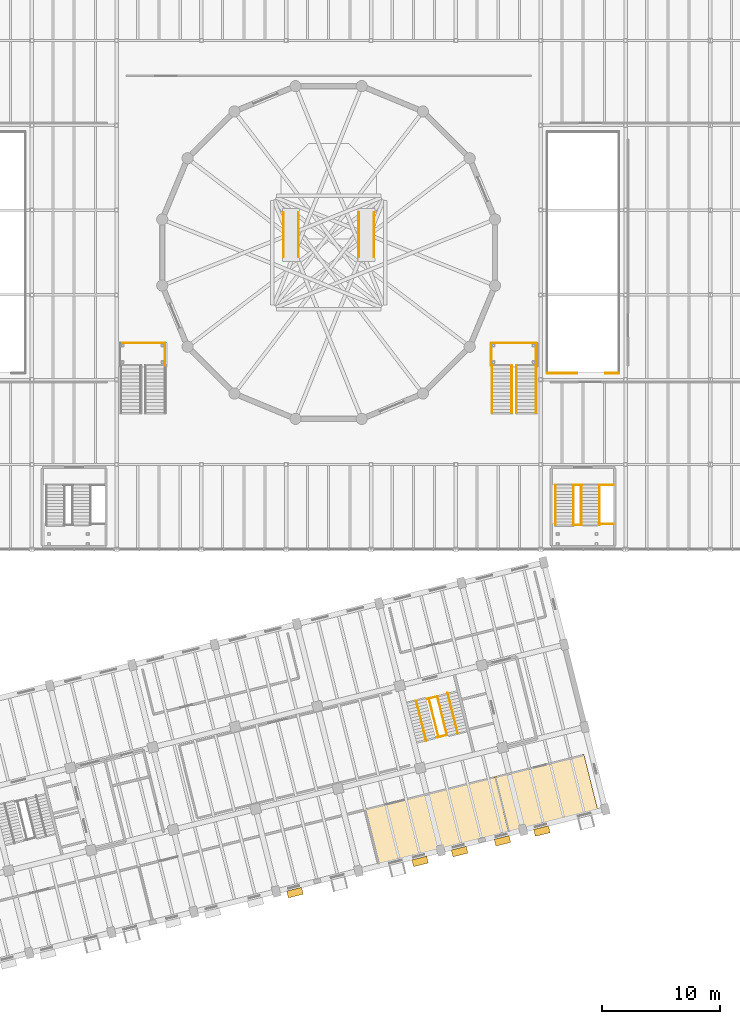
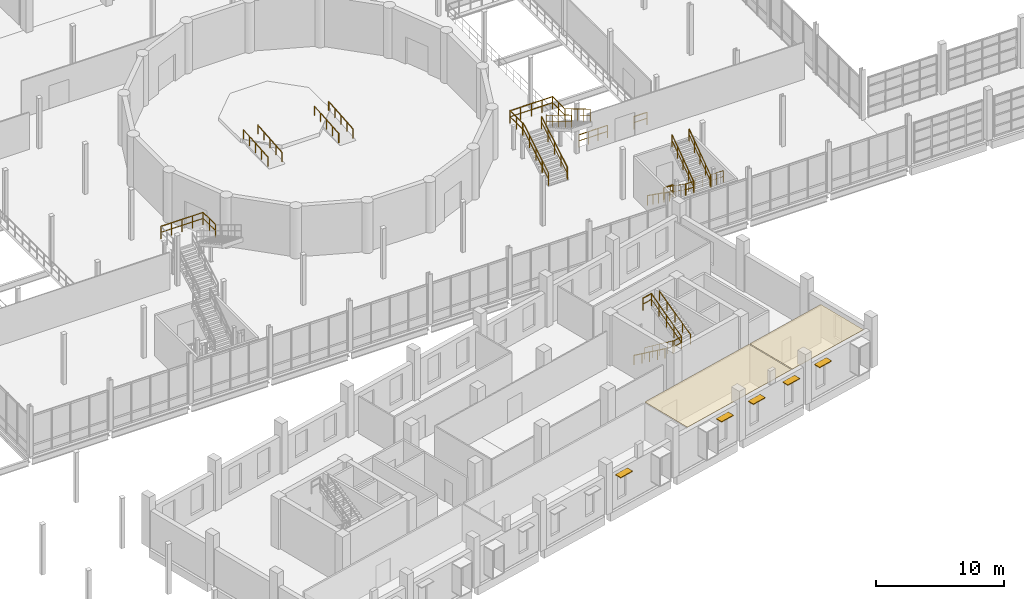
# One storey, part 75 of 77: 29 railings, 5 shading devices, 2 coverings.
"""IFC4 building model written with IfcOpenShell, lengths in metres."""

from ifc_helpers import new_model, si_unit, direction, frame, origin, origin_2d, place, context, subcontext, project, spatial, polyline, rectangle, circle, outline, extrude, material, layer, layer_set, material_profile, profile_set, type_object, element, save


model = new_model("IFC4")

# Units and contexts
model_context = context("Model", 3, precision=1e-05, world=origin(), true_north=direction((0.0, 1.0)))
body_context = subcontext(model_context, "Body", "Model", "MODEL_VIEW")
ifc_project = project(units=[si_unit("LENGTHUNIT", "METRE"), si_unit("AREAUNIT", "SQUARE_METRE"), si_unit("VOLUMEUNIT", "CUBIC_METRE"), si_unit("PLANEANGLEUNIT", "RADIAN"), si_unit("MASSUNIT", "GRAM", prefix="KILO")], contexts=[model_context])

# Site, building, storey
site_placement = place(None, origin())
site = spatial("IfcSite", under=ifc_project, at=site_placement, CompositionType="ELEMENT")
building_placement = place(site_placement, origin())
building = spatial("IfcBuilding", under=site, at=building_placement, Name="Qiaolan Assembly House", CompositionType="ELEMENT")
storey_placement = place(building_placement, frame((0.0, 0.0, 5.39990234375)))
storey = spatial("IfcBuildingStorey", under=building, at=storey_placement, Name="L01", CompositionType="ELEMENT", Elevation=5.39990234375)

# Coverings
ifc_material_1 = material(Name="Gypsum plasterboard acoustic ceiling")
ifc_layer = layer(ifc_material_1, 0.044921875)
ifc_layer_set = layer_set([ifc_layer], Name="Gypsum plasterboard acoustic ceiling")
covering_type = type_object("IfcCoveringType", Name="COV-CEIL-ACOUSTIC", PredefinedType="CEILING", material=ifc_layer_set)
covering_1_placement = place(storey_placement, frame((0.0, 0.0, 3.47509765625)))
element("IfcCovering", 1, at=covering_1_placement, inside=storey, type_object=covering_type, Name="Suspended ceiling Public Mediation & Hearing Room 1", PredefinedType="CEILING", context=body_context, shape_type="SweptSolid", body=[
    extrude(outline(polyline([(72.67236328125, 9.328857421875), (83.65625, 12.067626953125), (82.499755859375, 16.70556640625), (71.51611328125, 13.967041015625), (72.67236328125, 9.328857421875)])), origin(), (0.0, 0.0, 1.0), 0.044921875),
])
covering_2_placement = place(storey_placement, frame((0.0, 0.0, 3.47509765625)))
element("IfcCovering", 2, at=covering_2_placement, inside=storey, type_object=covering_type, Name="Suspended ceiling Service Centre Back-Office & Cashier", PredefinedType="CEILING", context=body_context, shape_type="SweptSolid", body=[
    extrude(outline(polyline([(83.73388671875, 12.0869140625), (91.224609375, 13.95458984375), (90.068115234375, 18.592529296875), (82.577392578125, 16.724853515625), (83.73388671875, 12.0869140625)])), origin(), (0.0, 0.0, 1.0), 0.044921875),
])

# Railings
ifc_material_2 = material(Name="Anodised bronze aluminium", Category="aluminium")
railing_type_1 = type_object("IfcRailingType", Name="RAL-GUARD-GALLERY-1200", PredefinedType="BALUSTRADE", material=ifc_material_2)
railing_1_placement = place(storey_placement, frame((50.699951171875, 53.510009765625, 2.400146484375)))
element("IfcRailing", 3, at=railing_1_placement, inside=storey, type_object=railing_type_1, Name="GR-02 gallery mid-landing guard ST-G1 seg 2", PredefinedType="BALUSTRADE", context=body_context, shape_type="SweptSolid", body=[
    extrude(circle(Radius=0.02392578125, at=origin_2d()), frame((0.0, 0.0, 1.17578125), z_axis=(1.0, 0.0, 0.0), x_axis=(0.0, 1.0, 0.0)), (0.0, 0.0, 1.0), 3.820068359375),
    extrude(circle(Radius=0.01611328125, at=origin_2d()), frame((0.0, 0.0, 0.60009765625), z_axis=(1.0, 0.0, 0.0), x_axis=(0.0, 1.0, 0.0)), (0.0, 0.0, 1.0), 3.820068359375),
    extrude(circle(Radius=0.02099609375, at=origin_2d()), origin(), (0.0, 0.0, 1.0), 1.15185546875),
    extrude(circle(Radius=0.02099609375, at=origin_2d()), frame((0.955078125, 0.0, 0.0)), (0.0, 0.0, 1.0), 1.15185546875),
    extrude(circle(Radius=0.02099609375, at=origin_2d()), frame((1.91015625, 0.0, 0.0)), (0.0, 0.0, 1.0), 1.15185546875),
    extrude(circle(Radius=0.02099609375, at=origin_2d()), frame((2.864990234375, 0.0, 0.0)), (0.0, 0.0, 1.0), 1.15185546875),
    extrude(circle(Radius=0.02099609375, at=origin_2d()), frame((3.820068359375, 0.0, 0.0)), (0.0, 0.0, 1.0), 1.15185546875),
])
railing_2_placement = place(storey_placement, frame((54.52001953125, 53.510009765625, 2.400146484375)))
element("IfcRailing", 4, at=railing_2_placement, inside=storey, type_object=railing_type_1, Name="GR-02 gallery mid-landing guard ST-G1 seg 3", PredefinedType="BALUSTRADE", context=body_context, shape_type="SweptSolid", body=[
    extrude(circle(Radius=0.02392578125, at=origin_2d()), frame((0.0, 0.0, 1.17578125), z_axis=(0.0, -1.0, 0.0), x_axis=(1.0, 0.0, 0.0)), (0.0, 0.0, 1.0), 1.919921875),
    extrude(circle(Radius=0.01611328125, at=origin_2d()), frame((0.0, 0.0, 0.60009765625), z_axis=(0.0, -1.0, 0.0), x_axis=(1.0, 0.0, 0.0)), (0.0, 0.0, 1.0), 1.919921875),
    extrude(circle(Radius=0.02099609375, at=origin_2d()), origin(), (0.0, 0.0, 1.0), 1.15185546875),
    extrude(circle(Radius=0.02099609375, at=origin_2d()), frame((0.0, -0.9599609375, 0.0)), (0.0, 0.0, 1.0), 1.15185546875),
    extrude(circle(Radius=0.02099609375, at=origin_2d()), frame((0.0, -1.919921875, 0.0)), (0.0, 0.0, 1.0), 1.15185546875),
])
for number, where, name in (
    (5, (82.260009765625, 47.60009765625, 0.0), "GR-02 gallery stair balustrade FLT-ST-G2-1-L"),
    (6, (83.93994140625, 47.60009765625, 0.0), "GR-02 gallery stair balustrade FLT-ST-G2-1-R"),
):
    element("IfcRailing", number, at=place(storey_placement, frame(where)), inside=storey, type_object=railing_type_1, Name=name, PredefinedType="BALUSTRADE", context=body_context, shape_type="SweptSolid", body=[
        extrude(circle(Radius=0.02392578125, at=origin_2d()), frame((0.0, 0.0, 1.17578125), z_axis=(0.0, 0.856909445827, 0.515466974357), x_axis=(-1.0, 0.0, 0.0)), (0.0, 0.0, 1.0), 4.65625),
        extrude(circle(Radius=0.01611328125, at=origin_2d()), frame((0.0, 0.0, 0.60009765625), z_axis=(0.0, 0.856909445827, 0.515466974357), x_axis=(-1.0, 0.0, 0.0)), (0.0, 0.0, 1.0), 4.65625),
        extrude(circle(Radius=0.02099609375, at=origin_2d()), origin(), (0.0, 0.0, 1.0), 1.15185546875),
        extrude(circle(Radius=0.02099609375, at=origin_2d()), frame((0.0, 0.99755859375, 0.60009765625)), (0.0, 0.0, 1.0), 1.15185546875),
        extrude(circle(Radius=0.02099609375, at=origin_2d()), frame((0.0, 1.9951171875, 1.2001953125)), (0.0, 0.0, 1.0), 1.15185546875),
        extrude(circle(Radius=0.02099609375, at=origin_2d()), frame((0.0, 2.992431640625, 1.800048828125)), (0.0, 0.0, 1.0), 1.15185546875),
        extrude(circle(Radius=0.02099609375, at=origin_2d()), frame((0.0, 3.989990234375, 2.400146484375)), (0.0, 0.0, 1.0), 1.15185546875),
    ])
for number, where, name in (
    (7, (84.340087890625, 51.590087890625, 2.400146484375), "GR-02 gallery stair balustrade FLT-ST-G2-2-L"),
    (8, (86.02001953125, 51.590087890625, 2.400146484375), "GR-02 gallery stair balustrade FLT-ST-G2-2-R"),
):
    element("IfcRailing", number, at=place(storey_placement, frame(where)), inside=storey, type_object=railing_type_1, Name=name, PredefinedType="BALUSTRADE", context=body_context, shape_type="SweptSolid", body=[
        extrude(circle(Radius=0.02392578125, at=origin_2d()), frame((0.0, 0.0, 1.17578125), z_axis=(0.0, -0.856932605607, 0.515428471708), x_axis=(1.0, 0.0, 0.0)), (0.0, 0.0, 1.0), 4.65625),
        extrude(circle(Radius=0.01611328125, at=origin_2d()), frame((0.0, 0.0, 0.60009765625), z_axis=(0.0, -0.856932605607, 0.515428471708), x_axis=(1.0, 0.0, 0.0)), (0.0, 0.0, 1.0), 4.65625),
        extrude(circle(Radius=0.02099609375, at=origin_2d()), origin(), (0.0, 0.0, 1.0), 1.15185546875),
        extrude(circle(Radius=0.02099609375, at=origin_2d()), frame((0.0, -0.99755859375, 0.60009765625)), (0.0, 0.0, 1.0), 1.15185546875),
        extrude(circle(Radius=0.02099609375, at=origin_2d()), frame((0.0, -1.9951171875, 1.199951171875)), (0.0, 0.0, 1.0), 1.15185546875),
        extrude(circle(Radius=0.02099609375, at=origin_2d()), frame((0.0, -2.992431640625, 1.7998046875)), (0.0, 0.0, 1.0), 1.15185546875),
        extrude(circle(Radius=0.02099609375, at=origin_2d()), frame((0.0, -3.989990234375, 2.39990234375)), (0.0, 0.0, 1.0), 1.15185546875),
    ])
railing_3_placement = place(storey_placement, frame((82.199951171875, 51.590087890625, 2.400146484375)))
element("IfcRailing", 9, at=railing_3_placement, inside=storey, type_object=railing_type_1, Name="GR-02 gallery mid-landing guard ST-G2 seg 1", PredefinedType="BALUSTRADE", context=body_context, shape_type="SweptSolid", body=[
    extrude(circle(Radius=0.02392578125, at=origin_2d()), frame((0.0, 0.0, 1.17578125), z_axis=(0.0, 1.0, 0.0), x_axis=(-1.0, 0.0, 0.0)), (0.0, 0.0, 1.0), 1.919921875),
    extrude(circle(Radius=0.01611328125, at=origin_2d()), frame((0.0, 0.0, 0.60009765625), z_axis=(0.0, 1.0, 0.0), x_axis=(-1.0, 0.0, 0.0)), (0.0, 0.0, 1.0), 1.919921875),
    extrude(circle(Radius=0.02099609375, at=origin_2d()), origin(), (0.0, 0.0, 1.0), 1.15185546875),
    extrude(circle(Radius=0.02099609375, at=origin_2d()), frame((0.0, 0.9599609375, 0.0)), (0.0, 0.0, 1.0), 1.15185546875),
    extrude(circle(Radius=0.02099609375, at=origin_2d()), frame((0.0, 1.919921875, 0.0)), (0.0, 0.0, 1.0), 1.15185546875),
])
railing_4_placement = place(storey_placement, frame((82.199951171875, 53.510009765625, 2.400146484375)))
element("IfcRailing", 10, at=railing_4_placement, inside=storey, type_object=railing_type_1, Name="GR-02 gallery mid-landing guard ST-G2 seg 2", PredefinedType="BALUSTRADE", context=body_context, shape_type="SweptSolid", body=[
    extrude(circle(Radius=0.02392578125, at=origin_2d()), frame((0.0, 0.0, 1.17578125), z_axis=(1.0, 0.0, 0.0), x_axis=(0.0, 1.0, 0.0)), (0.0, 0.0, 1.0), 3.820068359375),
    extrude(circle(Radius=0.01611328125, at=origin_2d()), frame((0.0, 0.0, 0.60009765625), z_axis=(1.0, 0.0, 0.0), x_axis=(0.0, 1.0, 0.0)), (0.0, 0.0, 1.0), 3.820068359375),
    extrude(circle(Radius=0.02099609375, at=origin_2d()), origin(), (0.0, 0.0, 1.0), 1.15185546875),
    extrude(circle(Radius=0.02099609375, at=origin_2d()), frame((0.955078125, 0.0, 0.0)), (0.0, 0.0, 1.0), 1.15185546875),
    extrude(circle(Radius=0.02099609375, at=origin_2d()), frame((1.91015625, 0.0, 0.0)), (0.0, 0.0, 1.0), 1.15185546875),
    extrude(circle(Radius=0.02099609375, at=origin_2d()), frame((2.864990234375, 0.0, 0.0)), (0.0, 0.0, 1.0), 1.15185546875),
    extrude(circle(Radius=0.02099609375, at=origin_2d()), frame((3.820068359375, 0.0, 0.0)), (0.0, 0.0, 1.0), 1.15185546875),
])
railing_5_placement = place(storey_placement, frame((86.02001953125, 53.510009765625, 2.400146484375)))
element("IfcRailing", 11, at=railing_5_placement, inside=storey, type_object=railing_type_1, Name="GR-02 gallery mid-landing guard ST-G2 seg 3", PredefinedType="BALUSTRADE", context=body_context, shape_type="SweptSolid", body=[
    extrude(circle(Radius=0.02392578125, at=origin_2d()), frame((0.0, 0.0, 1.17578125), z_axis=(0.0, -1.0, 0.0), x_axis=(1.0, 0.0, 0.0)), (0.0, 0.0, 1.0), 1.919921875),
    extrude(circle(Radius=0.01611328125, at=origin_2d()), frame((0.0, 0.0, 0.60009765625), z_axis=(0.0, -1.0, 0.0), x_axis=(1.0, 0.0, 0.0)), (0.0, 0.0, 1.0), 1.919921875),
    extrude(circle(Radius=0.02099609375, at=origin_2d()), origin(), (0.0, 0.0, 1.0), 1.15185546875),
    extrude(circle(Radius=0.02099609375, at=origin_2d()), frame((0.0, -0.9599609375, 0.0)), (0.0, 0.0, 1.0), 1.15185546875),
    extrude(circle(Radius=0.02099609375, at=origin_2d()), frame((0.0, -1.919921875, 0.0)), (0.0, 0.0, 1.0), 1.15185546875),
])
railing_6_placement = place(storey_placement, frame((89.5, 50.949951171875, 0.0)))
element("IfcRailing", 12, at=railing_6_placement, inside=storey, type_object=railing_type_1, Name="GR-02 Public Hall Atrium Void Balustrade E L01 seg 1", PredefinedType="BALUSTRADE", context=body_context, shape_type="SweptSolid", body=[
    extrude(circle(Radius=0.02392578125, at=origin_2d()), frame((0.0, 0.0, 1.17578125), z_axis=(-1.0, 0.0, 0.0), x_axis=(0.0, -1.0, 0.0)), (0.0, 0.0, 1.0), 2.550048828125),
    extrude(circle(Radius=0.01611328125, at=origin_2d()), frame((0.0, 0.0, 0.60009765625), z_axis=(-1.0, 0.0, 0.0), x_axis=(0.0, -1.0, 0.0)), (0.0, 0.0, 1.0), 2.550048828125),
    extrude(circle(Radius=0.02099609375, at=origin_2d()), origin(), (0.0, 0.0, 1.0), 1.15185546875),
    extrude(circle(Radius=0.02099609375, at=origin_2d()), frame((-0.85009765625, 0.0, 0.0)), (0.0, 0.0, 1.0), 1.15185546875),
    extrude(circle(Radius=0.02099609375, at=origin_2d()), frame((-1.699951171875, 0.0, 0.0)), (0.0, 0.0, 1.0), 1.15185546875),
    extrude(circle(Radius=0.02099609375, at=origin_2d()), frame((-2.550048828125, 0.0, 0.0)), (0.0, 0.0, 1.0), 1.15185546875),
])
railing_7_placement = place(storey_placement, frame((93.050048828125, 50.949951171875, 0.0)))
element("IfcRailing", 13, at=railing_7_placement, inside=storey, type_object=railing_type_1, Name="GR-02 Public Hall Atrium Void Balustrade E L01 seg 5", PredefinedType="BALUSTRADE", context=body_context, shape_type="SweptSolid", body=[
    extrude(circle(Radius=0.02392578125, at=origin_2d()), frame((0.0, 0.0, 1.17578125), z_axis=(-1.0, 0.0, 0.0), x_axis=(0.0, -1.0, 0.0)), (0.0, 0.0, 1.0), 1.150146484375),
    extrude(circle(Radius=0.01611328125, at=origin_2d()), frame((0.0, 0.0, 0.60009765625), z_axis=(-1.0, 0.0, 0.0), x_axis=(0.0, -1.0, 0.0)), (0.0, 0.0, 1.0), 1.150146484375),
    extrude(circle(Radius=0.02099609375, at=origin_2d()), origin(), (0.0, 0.0, 1.0), 1.15185546875),
    extrude(circle(Radius=0.02099609375, at=origin_2d()), frame((-1.150146484375, 0.0, 0.0)), (0.0, 0.0, 1.0), 1.15185546875),
])
railing_type_2 = type_object("IfcRailingType", Name="RAL-GUARD-STAIRWELL-1150", PredefinedType="GUARDRAIL", material=ifc_material_2)
railing_8_placement = place(storey_placement, frame((76.90869140625, 23.340087890625, 0.0)))
element("IfcRailing", 14, at=railing_8_placement, inside=storey, type_object=railing_type_2, Name="GR-01 stair inner-well guard FLT-CORE-D-L01-1", PredefinedType="GUARDRAIL", context=body_context, shape_type="SweptSolid", body=[
    extrude(circle(Radius=0.02392578125, at=origin_2d()), frame((0.0, 0.0, 1.1259765625), z_axis=(0.197226456581, -0.791143689971, 0.578958881652), x_axis=(0.970303734822, 0.241889772809, 0.0)), (0.0, 0.0, 1.0), 4.1455078125),
    extrude(circle(Radius=0.01611328125, at=origin_2d()), frame((0.0, 0.0, 0.574951171875), z_axis=(0.197226456581, -0.791143689971, 0.578958881652), x_axis=(0.970303734822, 0.241889772809, 0.0)), (0.0, 0.0, 1.0), 4.1455078125),
    extrude(circle(Radius=0.02099609375, at=origin_2d()), origin(), (0.0, 0.0, 1.0), 1.101806640625),
    extrude(circle(Radius=0.02099609375, at=origin_2d()), frame((0.204345703125, -0.81982421875, 0.60009765625)), (0.0, 0.0, 1.0), 1.101806640625),
    extrude(circle(Radius=0.02099609375, at=origin_2d()), frame((0.40869140625, -1.639892578125, 1.2001953125)), (0.0, 0.0, 1.0), 1.101806640625),
    extrude(circle(Radius=0.02099609375, at=origin_2d()), frame((0.61328125, -2.4599609375, 1.800048828125)), (0.0, 0.0, 1.0), 1.101806640625),
    extrude(circle(Radius=0.02099609375, at=origin_2d()), frame((0.817626953125, -3.27978515625, 2.400146484375)), (0.0, 0.0, 1.0), 1.101806640625),
])
railing_9_placement = place(storey_placement, frame((78.4443359375, 20.239501953125, 2.400146484375)))
element("IfcRailing", 15, at=railing_9_placement, inside=storey, type_object=railing_type_2, Name="GR-01 stair inner-well guard FLT-CORE-D-L01-2", PredefinedType="GUARDRAIL", context=body_context, shape_type="SweptSolid", body=[
    extrude(circle(Radius=0.02392578125, at=origin_2d()), frame((0.0, 0.0, 1.1259765625), z_axis=(-0.197242371418, 0.791148633996, 0.578946703803), x_axis=(-0.970299508301, -0.241906726219, 0.0)), (0.0, 0.0, 1.0), 4.145263671875),
    extrude(circle(Radius=0.01611328125, at=origin_2d()), frame((0.0, 0.0, 0.574951171875), z_axis=(-0.197242371418, 0.791148633996, 0.578946703803), x_axis=(-0.970299508301, -0.241906726219, 0.0)), (0.0, 0.0, 1.0), 4.145263671875),
    extrude(circle(Radius=0.02099609375, at=origin_2d()), origin(), (0.0, 0.0, 1.0), 1.101806640625),
    extrude(circle(Radius=0.02099609375, at=origin_2d()), frame((-0.204345703125, 0.81982421875, 0.60009765625)), (0.0, 0.0, 1.0), 1.101806640625),
    extrude(circle(Radius=0.02099609375, at=origin_2d()), frame((-0.40869140625, 1.6396484375, 1.199951171875)), (0.0, 0.0, 1.0), 1.101806640625),
    extrude(circle(Radius=0.02099609375, at=origin_2d()), frame((-0.61328125, 2.459716796875, 1.7998046875)), (0.0, 0.0, 1.0), 1.101806640625),
    extrude(circle(Radius=0.02099609375, at=origin_2d()), frame((-0.817626953125, 3.279541015625, 2.39990234375)), (0.0, 0.0, 1.0), 1.101806640625),
])
for number, where, name in (
    (16, (77.571044921875, 20.021728515625, 2.400146484375), "GR-01 stairwell landing guard CORE-D L01-1"),
    (17, (76.75341796875, 23.30126953125, 4.800048828125), "GR-01 stairwell landing guard CORE-D L01-2"),
):
    element("IfcRailing", number, at=place(storey_placement, frame(where)), inside=storey, type_object=railing_type_2, Name=name, PredefinedType="GUARDRAIL", context=body_context, shape_type="SweptSolid", body=[
        extrude(circle(Radius=0.02392578125, at=origin_2d()), frame((0.0, 0.0, 1.1259765625), z_axis=(0.970282802069, 0.241973725865, 0.0), x_axis=(-0.241973725865, 0.970282802069, 0.0)), (0.0, 0.0, 1.0), 0.920166015625),
        extrude(circle(Radius=0.01611328125, at=origin_2d()), frame((0.0, 0.0, 0.574951171875), z_axis=(0.970282802069, 0.241973725865, 0.0), x_axis=(-0.241973725865, 0.970282802069, 0.0)), (0.0, 0.0, 1.0), 0.920166015625),
        extrude(circle(Radius=0.02099609375, at=origin_2d()), origin(), (0.0, 0.0, 1.0), 1.101806640625),
        extrude(circle(Radius=0.02099609375, at=origin_2d()), frame((0.892822265625, 0.22265625, 0.0)), (0.0, 0.0, 1.0), 1.101806640625),
    ])
railing_10_placement = place(storey_placement, frame((89.080078125, 41.449951171875, 0.0)))
element("IfcRailing", 18, at=railing_10_placement, inside=storey, type_object=railing_type_2, Name="GR-01 foyer L01 slot guard ST-F02", PredefinedType="GUARDRAIL", context=body_context, shape_type="SweptSolid", body=[
    extrude(circle(Radius=0.02392578125, at=origin_2d()), frame((0.0, 0.0, 1.1259765625), z_axis=(1.0, 0.0, 0.0), x_axis=(0.0, 1.0, 0.0)), (0.0, 0.0, 1.0), 0.83984375),
    extrude(circle(Radius=0.01611328125, at=origin_2d()), frame((0.0, 0.0, 0.574951171875), z_axis=(1.0, 0.0, 0.0), x_axis=(0.0, 1.0, 0.0)), (0.0, 0.0, 1.0), 0.83984375),
    extrude(circle(Radius=0.02099609375, at=origin_2d()), origin(), (0.0, 0.0, 1.0), 1.101806640625),
    extrude(circle(Radius=0.02099609375, at=origin_2d()), frame((0.83984375, 0.0, 0.0)), (0.0, 0.0, 1.0), 1.101806640625),
])
railing_11_placement = place(storey_placement, frame((91.35009765625, 41.449951171875, 0.0)))
element("IfcRailing", 19, at=railing_11_placement, inside=storey, type_object=railing_type_2, Name="GR-01 foyer L01 east floor-well guard ST-F02", PredefinedType="GUARDRAIL", context=body_context, shape_type="SweptSolid", body=[
    extrude(circle(Radius=0.02392578125, at=origin_2d()), frame((0.0, 0.0, 1.1259765625), z_axis=(1.0, 0.0, 0.0), x_axis=(0.0, 1.0, 0.0)), (0.0, 0.0, 1.0), 1.22998046875),
    extrude(circle(Radius=0.01611328125, at=origin_2d()), frame((0.0, 0.0, 0.574951171875), z_axis=(1.0, 0.0, 0.0), x_axis=(0.0, 1.0, 0.0)), (0.0, 0.0, 1.0), 1.22998046875),
    extrude(circle(Radius=0.02099609375, at=origin_2d()), origin(), (0.0, 0.0, 1.0), 1.101806640625),
    extrude(circle(Radius=0.02099609375, at=origin_2d()), frame((0.614990234375, 0.0, 0.0)), (0.0, 0.0, 1.0), 1.101806640625),
    extrude(circle(Radius=0.02099609375, at=origin_2d()), frame((1.22998046875, 0.0, 0.0)), (0.0, 0.0, 1.0), 1.101806640625),
])
railing_12_placement = place(storey_placement, frame((89.179931640625, 41.449951171875, 0.0)))
element("IfcRailing", 20, at=railing_12_placement, inside=storey, type_object=railing_type_2, Name="GR-01 foyer L01 open-well guard FLT-ST-F2-1-R", PredefinedType="GUARDRAIL", context=body_context, shape_type="SweptSolid", body=[
    extrude(circle(Radius=0.02392578125, at=origin_2d()), frame((0.0, 0.0, 1.1259765625), z_axis=(0.0, -0.815334052488, 0.578990831408), x_axis=(1.0, 0.0, 0.0)), (0.0, 0.0, 1.0), 4.1455078125),
    extrude(circle(Radius=0.01611328125, at=origin_2d()), frame((0.0, 0.0, 0.574951171875), z_axis=(0.0, -0.815334052488, 0.578990831408), x_axis=(1.0, 0.0, 0.0)), (0.0, 0.0, 1.0), 4.1455078125),
    extrude(circle(Radius=0.02099609375, at=origin_2d()), origin(), (0.0, 0.0, 1.0), 1.101806640625),
    extrude(circle(Radius=0.02099609375, at=origin_2d()), frame((0.0, -0.844970703125, 0.60009765625)), (0.0, 0.0, 1.0), 1.101806640625),
    extrude(circle(Radius=0.02099609375, at=origin_2d()), frame((0.0, -1.68994140625, 1.2001953125)), (0.0, 0.0, 1.0), 1.101806640625),
    extrude(circle(Radius=0.02099609375, at=origin_2d()), frame((0.0, -2.534912109375, 1.800048828125)), (0.0, 0.0, 1.0), 1.101806640625),
    extrude(circle(Radius=0.02099609375, at=origin_2d()), frame((0.0, -3.3798828125, 2.400146484375)), (0.0, 0.0, 1.0), 1.101806640625),
])
for number, where, name in (
    (21, (89.840087890625, 38.070068359375, 2.400146484375), "GR-01 foyer L01 inner-well guard FLT-ST-F2-2-L"),
    (22, (91.3798828125, 38.070068359375, 2.400146484375), "GR-01 foyer L01 open-well guard FLT-ST-F2-2-R"),
):
    element("IfcRailing", number, at=place(storey_placement, frame(where)), inside=storey, type_object=railing_type_2, Name=name, PredefinedType="GUARDRAIL", context=body_context, shape_type="SweptSolid", body=[
        extrude(circle(Radius=0.02392578125, at=origin_2d()), frame((0.0, 0.0, 1.1259765625), z_axis=(0.0, 0.81536185483, 0.578951678198), x_axis=(-1.0, 0.0, 0.0)), (0.0, 0.0, 1.0), 4.145263671875),
        extrude(circle(Radius=0.01611328125, at=origin_2d()), frame((0.0, 0.0, 0.574951171875), z_axis=(0.0, 0.81536185483, 0.578951678198), x_axis=(-1.0, 0.0, 0.0)), (0.0, 0.0, 1.0), 4.145263671875),
        extrude(circle(Radius=0.02099609375, at=origin_2d()), origin(), (0.0, 0.0, 1.0), 1.101806640625),
        extrude(circle(Radius=0.02099609375, at=origin_2d()), frame((0.0, 0.844970703125, 0.60009765625)), (0.0, 0.0, 1.0), 1.101806640625),
        extrude(circle(Radius=0.02099609375, at=origin_2d()), frame((0.0, 1.68994140625, 1.199951171875)), (0.0, 0.0, 1.0), 1.101806640625),
        extrude(circle(Radius=0.02099609375, at=origin_2d()), frame((0.0, 2.534912109375, 1.7998046875)), (0.0, 0.0, 1.0), 1.101806640625),
        extrude(circle(Radius=0.02099609375, at=origin_2d()), frame((0.0, 3.3798828125, 2.39990234375)), (0.0, 0.0, 1.0), 1.101806640625),
    ])
railing_13_placement = place(storey_placement, frame((89.1201171875, 38.070068359375, 2.400146484375)))
element("IfcRailing", 23, at=railing_13_placement, inside=storey, type_object=railing_type_2, Name="GR-01 foyer L01 mid-landing guard ST-F2", PredefinedType="GUARDRAIL", context=body_context, shape_type="SweptSolid", body=[
    extrude(circle(Radius=0.02392578125, at=origin_2d()), frame((0.0, 0.0, 1.1259765625), z_axis=(1.0, 0.0, 0.0), x_axis=(0.0, 1.0, 0.0)), (0.0, 0.0, 1.0), 0.759765625),
    extrude(circle(Radius=0.01611328125, at=origin_2d()), frame((0.0, 0.0, 0.574951171875), z_axis=(1.0, 0.0, 0.0), x_axis=(0.0, 1.0, 0.0)), (0.0, 0.0, 1.0), 0.759765625),
    extrude(circle(Radius=0.02099609375, at=origin_2d()), origin(), (0.0, 0.0, 1.0), 1.101806640625),
    extrude(circle(Radius=0.02099609375, at=origin_2d()), frame((0.759765625, 0.0, 0.0)), (0.0, 0.0, 1.0), 1.101806640625),
])
railing_14_placement = place(storey_placement, frame((91.360107421875, 38.169921875, 2.400146484375)))
element("IfcRailing", 24, at=railing_14_placement, inside=storey, type_object=railing_type_2, Name="GR-01 foyer L01 east half-landing guard ST-F2", PredefinedType="GUARDRAIL", context=body_context, shape_type="SweptSolid", body=[
    extrude(circle(Radius=0.02392578125, at=origin_2d()), frame((0.0, 0.0, 1.1259765625), z_axis=(1.0, 0.0, 0.0), x_axis=(0.0, 1.0, 0.0)), (0.0, 0.0, 1.0), 1.219970703125),
    extrude(circle(Radius=0.01611328125, at=origin_2d()), frame((0.0, 0.0, 0.574951171875), z_axis=(1.0, 0.0, 0.0), x_axis=(0.0, 1.0, 0.0)), (0.0, 0.0, 1.0), 1.219970703125),
    extrude(circle(Radius=0.02099609375, at=origin_2d()), origin(), (0.0, 0.0, 1.0), 1.101806640625),
    extrude(circle(Radius=0.02099609375, at=origin_2d()), frame((0.60986328125, 0.0, 0.0)), (0.0, 0.0, 1.0), 1.101806640625),
    extrude(circle(Radius=0.02099609375, at=origin_2d()), frame((1.219970703125, 0.0, 0.0)), (0.0, 0.0, 1.0), 1.101806640625),
])
railing_type_3 = type_object("IfcRailingType", Name="RAL-HANDRAIL-RAMP-900", PredefinedType="HANDRAIL", material=ifc_material_2)
for number, where, name in (
    (25, (64.554931640625, 60.800048828125, 0.028076171875), "HR-02 accessible dais ramp handrail RMP-ACC-C1-L"),
    (26, (65.844970703125, 60.800048828125, 0.028076171875), "HR-02 accessible dais ramp handrail RMP-ACC-C1-R"),
    (27, (70.955078125, 60.800048828125, 0.028076171875), "HR-02 accessible dais ramp handrail RMP-ACC-C2-L"),
    (28, (72.2451171875, 60.800048828125, 0.028076171875), "HR-02 accessible dais ramp handrail RMP-ACC-C2-R"),
):
    element("IfcRailing", number, at=place(storey_placement, frame(where)), inside=storey, type_object=railing_type_3, Name=name, PredefinedType="HANDRAIL", context=body_context, shape_type="SweptSolid", body=[
        extrude(circle(Radius=0.02392578125, at=origin_2d()), frame((0.0, 0.0, 0.8759765625), z_axis=(0.0, 0.996816296613, 0.079732495296), x_axis=(-1.0, 0.0, 0.0)), (0.0, 0.0, 1.0), 3.812255859375),
        extrude(circle(Radius=0.02099609375, at=origin_2d()), origin(), (0.0, 0.0, 1.0), 0.851806640625),
        extrude(circle(Radius=0.02099609375, at=origin_2d()), frame((0.0, 0.949951171875, 0.075927734375)), (0.0, 0.0, 1.0), 0.851806640625),
        extrude(circle(Radius=0.02099609375, at=origin_2d()), frame((0.0, 1.89990234375, 0.15185546875)), (0.0, 0.0, 1.0), 0.851806640625),
        extrude(circle(Radius=0.02099609375, at=origin_2d()), frame((0.0, 2.85009765625, 0.22802734375)), (0.0, 0.0, 1.0), 0.851806640625),
        extrude(circle(Radius=0.02099609375, at=origin_2d()), frame((0.0, 3.800048828125, 0.303955078125)), (0.0, 0.0, 1.0), 0.851806640625),
    ])
railing_type_4 = type_object("IfcRailingType", Name="RAL-HANDRAIL-STAIR-920", PredefinedType="HANDRAIL", material=ifc_material_2)
railing_15_placement = place(storey_placement, frame((75.836669921875, 23.134521484375, 0.0)))
element("IfcRailing", 29, at=railing_15_placement, inside=storey, type_object=railing_type_4, Name="HR-01 stair handrail FLT-CORE-D-L01-1", PredefinedType="HANDRAIL", context=body_context, shape_type="SweptSolid", body=[
    extrude(circle(Radius=0.02392578125, at=origin_2d()), frame((0.0, 0.0, 0.89599609375), z_axis=(0.199506915716, -0.800213724801, 0.565557234258), x_axis=(0.970298223594, 0.241911879182, 0.0)), (0.0, 0.0, 1.0), 4.243896484375),
    extrude(circle(Radius=0.02099609375, at=origin_2d()), origin(), (0.0, 0.0, 1.0), 0.871826171875),
    extrude(circle(Radius=0.02099609375, at=origin_2d()), frame((0.211669921875, -0.84912109375, 0.60009765625)), (0.0, 0.0, 1.0), 0.871826171875),
    extrude(circle(Radius=0.02099609375, at=origin_2d()), frame((0.42333984375, -1.697998046875, 1.2001953125)), (0.0, 0.0, 1.0), 0.871826171875),
    extrude(circle(Radius=0.02099609375, at=origin_2d()), frame((0.635009765625, -2.546875, 1.800048828125)), (0.0, 0.0, 1.0), 0.871826171875),
    extrude(circle(Radius=0.02099609375, at=origin_2d()), frame((0.8466796875, -3.39599609375, 2.400146484375)), (0.0, 0.0, 1.0), 0.871826171875),
])
railing_16_placement = place(storey_placement, frame((79.3515625, 20.40380859375, 2.400146484375)))
element("IfcRailing", 30, at=railing_16_placement, inside=storey, type_object=railing_type_4, Name="HR-01 stair handrail FLT-CORE-D-L01-2", PredefinedType="HANDRAIL", context=body_context, shape_type="SweptSolid", body=[
    extrude(circle(Radius=0.02392578125, at=origin_2d()), frame((0.0, 0.0, 0.89599609375), z_axis=(-0.199513406729, 0.800239759978, 0.565518105002), x_axis=(-0.970298223594, -0.241911879182, 0.0)), (0.0, 0.0, 1.0), 4.24365234375),
    extrude(circle(Radius=0.02099609375, at=origin_2d()), origin(), (0.0, 0.0, 1.0), 0.871826171875),
    extrude(circle(Radius=0.02099609375, at=origin_2d()), frame((-0.211669921875, 0.84912109375, 0.60009765625)), (0.0, 0.0, 1.0), 0.871826171875),
    extrude(circle(Radius=0.02099609375, at=origin_2d()), frame((-0.42333984375, 1.697998046875, 1.199951171875)), (0.0, 0.0, 1.0), 0.871826171875),
    extrude(circle(Radius=0.02099609375, at=origin_2d()), frame((-0.635009765625, 2.546875, 1.7998046875)), (0.0, 0.0, 1.0), 0.871826171875),
    extrude(circle(Radius=0.02099609375, at=origin_2d()), frame((-0.8466796875, 3.39599609375, 2.39990234375)), (0.0, 0.0, 1.0), 0.871826171875),
])
railing_17_placement = place(storey_placement, frame((87.639892578125, 41.449951171875, 0.0)))
element("IfcRailing", 31, at=railing_17_placement, inside=storey, type_object=railing_type_4, Name="HR-01 foyer L01 handrail FLT-ST-F2-1-L", PredefinedType="HANDRAIL", context=body_context, shape_type="SweptSolid", body=[
    extrude(circle(Radius=0.02392578125, at=origin_2d()), frame((0.0, 0.0, 0.89599609375), z_axis=(0.0, -0.815334052488, 0.578990831408), x_axis=(1.0, 0.0, 0.0)), (0.0, 0.0, 1.0), 4.1455078125),
    extrude(circle(Radius=0.02099609375, at=origin_2d()), origin(), (0.0, 0.0, 1.0), 0.871826171875),
    extrude(circle(Radius=0.02099609375, at=origin_2d()), frame((0.0, -0.844970703125, 0.60009765625)), (0.0, 0.0, 1.0), 0.871826171875),
    extrude(circle(Radius=0.02099609375, at=origin_2d()), frame((0.0, -1.68994140625, 1.2001953125)), (0.0, 0.0, 1.0), 0.871826171875),
    extrude(circle(Radius=0.02099609375, at=origin_2d()), frame((0.0, -2.534912109375, 1.800048828125)), (0.0, 0.0, 1.0), 0.871826171875),
    extrude(circle(Radius=0.02099609375, at=origin_2d()), frame((0.0, -3.3798828125, 2.400146484375)), (0.0, 0.0, 1.0), 0.871826171875),
])

# Shading devices
ifc_material_profile = material_profile(ifc_material_2, rectangle(XDim=0.60009765625, YDim=0.070068359375, at=origin_2d()), Name="SHD 600x70")
ifc_profile_set = profile_set([ifc_material_profile], Name="Anodised bronze aluminium")
shading_device_type = type_object("IfcShadingDeviceType", Name="SHD-SUNSHADE-AL-600", PredefinedType="AWNING", material=ifc_profile_set)
for number, where, z_axis, x_axis, name in (
    (32, (64.911376953125, 6.7060546875, 3.150146484375), (0.970307970296, 0.241872782222, 0.0), (-0.241872782222, 0.970307970296, 0.0), "SH-02 horizontal sunshade louvre L01-5"),
    (33, (75.5361328125, 9.35498046875, 3.150146484375), (0.970263883687, 0.242049573461, 0.0), (-0.242049573461, 0.970263883687, 0.0), "SH-02 horizontal sunshade louvre L01-6"),
):
    element("IfcShadingDevice", number, at=place(storey_placement, frame(where, z_axis=z_axis, x_axis=x_axis)), inside=storey, type_object=shading_device_type, Name=name, PredefinedType="AWNING", context=body_context, shape_type="SweptSolid", body=[
        extrude(rectangle(XDim=0.60009765625, YDim=0.070068359375, at=origin_2d()), origin(), (0.0, 0.0, 1.0), 1.300048828125),
    ])
shading_device_placement = place(storey_placement, frame((78.8837890625, 10.189697265625, 3.150146484375), z_axis=(0.970296981152, 0.24191686251, 0.0), x_axis=(-0.24191686251, 0.970296981152, 0.0)))
element("IfcShadingDevice", 34, at=shading_device_placement, inside=storey, type_object=shading_device_type, Name="SH-02 horizontal sunshade louvre L01-7", PredefinedType="AWNING", context=body_context, shape_type="SweptSolid", body=[
    extrude(rectangle(XDim=0.60009765625, YDim=0.070068359375, at=origin_2d()), origin(), (0.0, 0.0, 1.0), 1.2998046875),
])
for number, where, z_axis, x_axis, name in (
    (35, (82.522216796875, 11.096923828125, 3.150146484375), (0.970307970296, 0.241872782222, 0.0), (-0.241872782222, 0.970307970296, 0.0), "SH-02 horizontal sunshade louvre L01-7"),
    (36, (85.869873046875, 11.931640625, 3.150146484375), (0.970307970296, 0.241872782222, 0.0), (-0.241872782222, 0.970307970296, 0.0), "SH-02 horizontal sunshade louvre L01-8"),
):
    element("IfcShadingDevice", number, at=place(storey_placement, frame(where, z_axis=z_axis, x_axis=x_axis)), inside=storey, type_object=shading_device_type, Name=name, PredefinedType="AWNING", context=body_context, shape_type="SweptSolid", body=[
        extrude(rectangle(XDim=0.60009765625, YDim=0.070068359375, at=origin_2d()), origin(), (0.0, 0.0, 1.0), 1.300048828125),
    ])

save(model, "model.ifc")
